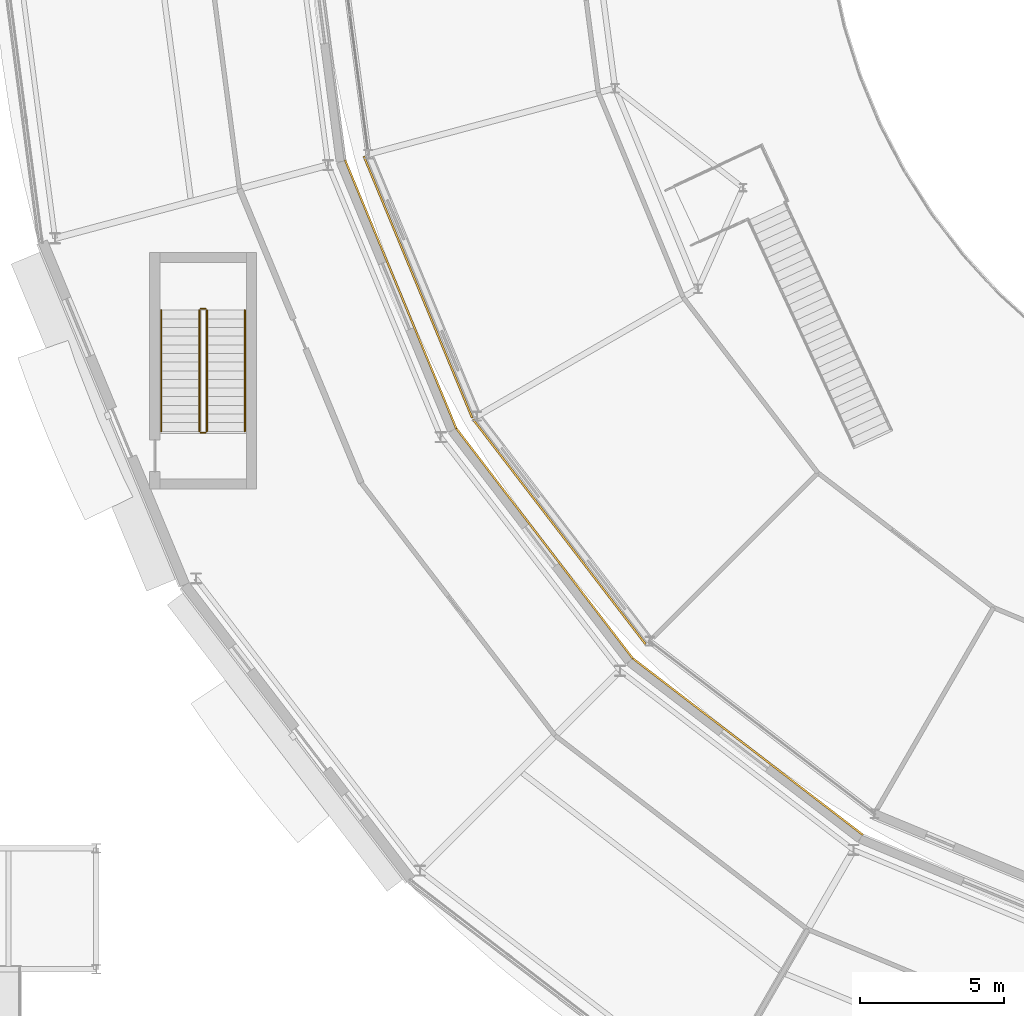
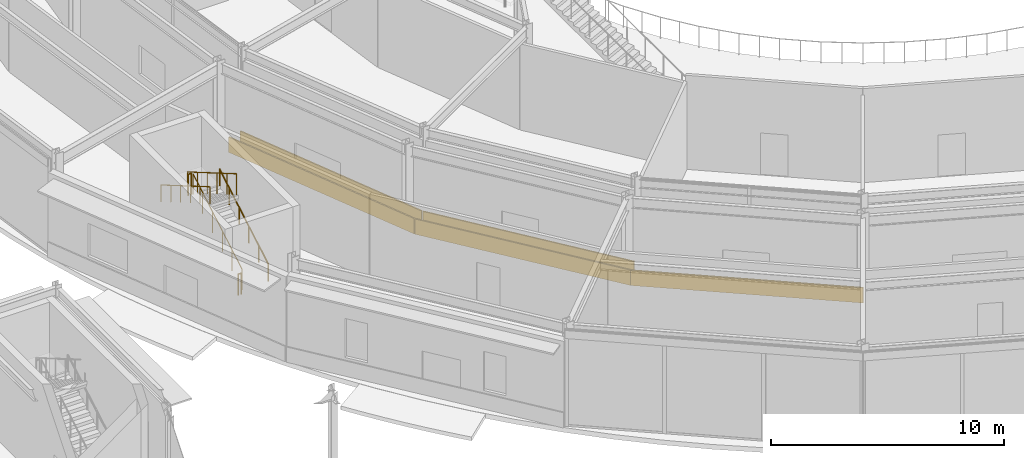
# One storey, part 145 of 168: 6 railings, 5 coverings.
"""IFC4 building model written with IfcOpenShell, lengths in metres."""

import ifcopenshell
import ifcopenshell.guid

model = None  # the IFC model being written
_history = None  # IfcOwnerHistory: only IFC2X3 demands one
_inside = {}  # id of a spatial element -> (the spatial element, [elements in it])
_under = {}  # id of a project, library or spatial element -> (it, [spatial elements below it])
_declared = {}  # id of a project -> (the project, [libraries it declares])
_typed = {}  # id of a type object -> (the type object, [elements of that type])
_made_of = {}  # id of a material, layer set ... -> (it, [elements and type objects made of it])


def new_model(schema):
    """Start an empty IFC model of exactly this schema.

    Asked for "IFC4X3", IfcOpenShell would pick the latest addendum, in which some entities
    have other attributes; the version numbers below select the first issue.
    IFC2X3 requires an IfcOwnerHistory on every rooted entity: one is made here for all.
    """
    global model, _history
    if schema == "IFC4X3":
        model = ifcopenshell.file(schema_version=(4, 3, 0, 0))
    else:
        model = ifcopenshell.file(schema=schema)
    _inside.clear()
    _under.clear()
    _declared.clear()
    _typed.clear()
    _made_of.clear()
    _history = None
    if model.schema == "IFC2X3":
        org = make("IfcOrganization", Name="unknown")
        user = make(
            "IfcPersonAndOrganization",
            ThePerson=make("IfcPerson", FamilyName="unknown"),
            TheOrganization=org,
        )
        app = make(
            "IfcApplication",
            ApplicationDeveloper=org,
            Version="unknown",
            ApplicationFullName="unknown",
            ApplicationIdentifier="unknown",
        )
        _history = make(
            "IfcOwnerHistory",
            OwningUser=user,
            OwningApplication=app,
            ChangeAction="ADDED",
            CreationDate=0,
        )
    return model


def make(cls, **values):
    """One entity of the class cls with the attributes given. An attribute that is None is left unset."""
    return model.create_entity(
        cls, **{name: value for name, value in values.items() if value is not None}
    )


def rooted(cls, **values):
    """An entity with a GlobalId (a new one), such as an element, a storey or a relation."""
    return make(cls, GlobalId=ifcopenshell.guid.new(), OwnerHistory=_history, **values)


def si_unit(unit_type, name, prefix=None):
    """IfcSIUnit, for example si_unit("LENGTHUNIT", "METRE", prefix="MILLI")."""
    return make("IfcSIUnit", UnitType=unit_type, Prefix=prefix, Name=name)


def assignment(units):
    """IfcUnitAssignment: the units of a project."""
    return None if units is None else make("IfcUnitAssignment", Units=units)


def point(xyz):
    """IfcCartesianPoint."""
    return None if xyz is None else make("IfcCartesianPoint", Coordinates=xyz)


def direction(xyz):
    """IfcDirection."""
    return None if xyz is None else make("IfcDirection", DirectionRatios=xyz)


def frame(location, z_axis=None, x_axis=None):
    """IfcAxis2Placement3D, a coordinate frame: its origin and axes. An axis left out is left unset."""
    return make(
        "IfcAxis2Placement3D",
        Location=point(location),
        Axis=direction(z_axis),
        RefDirection=direction(x_axis),
    )


def frame_2d(location, x_axis=None):
    """IfcAxis2Placement2D, a coordinate frame in the plane: its origin and x axis."""
    return make(
        "IfcAxis2Placement2D", Location=point(location), RefDirection=direction(x_axis)
    )


def origin():
    """The frame at (0, 0, 0) with its axes left unset."""
    return frame((0.0, 0.0, 0.0))


def origin_2d():
    """The frame at (0, 0) in the plane with its x axis left unset."""
    return frame_2d((0.0, 0.0))


def place(relative_to, where):
    """IfcLocalPlacement: puts the frame where relative to a parent placement (None: the world)."""
    return make(
        "IfcLocalPlacement", PlacementRelTo=relative_to, RelativePlacement=where
    )


def context(
    kind, dimensions, precision=None, world=None, true_north=None, identifier=None
):
    """IfcGeometricRepresentationContext, for example the 3D "Model" context."""
    return make(
        "IfcGeometricRepresentationContext",
        ContextIdentifier=identifier,
        ContextType=kind,
        CoordinateSpaceDimension=dimensions,
        Precision=precision,
        WorldCoordinateSystem=world,
        TrueNorth=true_north,
    )


def subcontext(parent, identifier, kind, view, scale=None):
    """IfcGeometricRepresentationSubContext, for example "Body" below "Model"."""
    return make(
        "IfcGeometricRepresentationSubContext",
        ContextIdentifier=identifier,
        ContextType=kind,
        ParentContext=parent,
        TargetScale=scale,
        TargetView=view,
    )


def project(units=None, contexts=None):
    """IfcProject with its units and contexts."""
    return rooted(
        "IfcProject",
        Name="project",
        RepresentationContexts=contexts,
        UnitsInContext=assignment(units),
    )


def spatial(cls, under=None, at=None, **own):
    """A site, building, storey or space (cls), placed at a placement, below another one or the project."""
    s = rooted(cls, ObjectPlacement=at, **own)
    if under is not None:
        _under.setdefault(under.id(), (under, []))[1].append(s)
    return s


def profile(cls, at=None, kind="AREA", **sizes):
    """A parametric profile (cls). Its sizes go by their IFC names, for example OverallWidth=200.0."""
    return make(cls, ProfileType=kind, Position=at, **sizes)


def rectangle(**sizes):
    """IfcRectangleProfileDef."""
    return profile("IfcRectangleProfileDef", **sizes)


def circle(**sizes):
    """IfcCircleProfileDef."""
    return profile("IfcCircleProfileDef", **sizes)


def extrude(swept, where, along, depth):
    """IfcExtrudedAreaSolid: the profile swept, set in the frame where, extruded along a direction by depth."""
    return make(
        "IfcExtrudedAreaSolid",
        SweptArea=swept,
        Position=where,
        ExtrudedDirection=direction(along),
        Depth=depth,
    )


def shape(context_of_items, identifier, shape_type, items):
    """IfcShapeRepresentation: the items that make up one representation, for example the "Body"."""
    return make(
        "IfcShapeRepresentation",
        ContextOfItems=context_of_items,
        RepresentationIdentifier=identifier,
        RepresentationType=shape_type,
        Items=items,
    )


def material(Name=None, Category=None):
    """IfcMaterial."""
    return make("IfcMaterial", Name=Name, Category=Category)


def layer(
    of_material, thickness, ventilated=None, Name=None, Category=None, Priority=None
):
    """IfcMaterialLayer: one layer of a wall or slab, of a material (None: an air gap)."""
    return make(
        "IfcMaterialLayer",
        Material=of_material,
        LayerThickness=thickness,
        IsVentilated=ventilated,
        Name=Name,
        Category=Category,
        Priority=Priority,
    )


def layer_set(layers, Name=None):
    """IfcMaterialLayerSet."""
    return make("IfcMaterialLayerSet", MaterialLayers=layers, LayerSetName=Name)


def made_of(thing, what):
    """Note that an element or type object is made of a material, layer set ...; save() writes the relation."""
    if what is not None:
        _made_of.setdefault(what.id(), (what, []))[1].append(thing)
    return thing


def type_object(cls, material=None, **own):
    """A type object (cls), such as IfcWallType, which elements share."""
    return made_of(rooted(cls, **own), material)


def element(
    cls,
    number,
    at=None,
    inside=None,
    cuts=None,
    type_object=None,
    material=None,
    context=None,
    identifier="Body",
    shape_type=None,
    held_by="IfcProductDefinitionShape",
    body=None,
    shapes=None,
    **own,
):
    """One element of the class cls, such as IfcWall. Its Tag is "e" and its number.

    at: its placement. inside: the storey or other place that contains it. cuts: it is an
    opening in that element (IfcRelVoidsElement). A single representation is given by context,
    identifier, shape_type and body (its items); several are given by shapes. held_by: the class
    of the entity that holds the representations. save() writes the other relations.
    """
    e = rooted(cls, Tag="e%d" % number, ObjectPlacement=at, **own)
    if body is not None:
        shapes = [shape(context, identifier, shape_type, body)]
    if shapes is not None:
        e.Representation = make(held_by, Representations=shapes)
    if inside is not None:
        _inside.setdefault(inside.id(), (inside, []))[1].append(e)
    if cuts is not None:
        rooted(
            "IfcRelVoidsElement", RelatingBuildingElement=cuts, RelatedOpeningElement=e
        )
    if type_object is not None:
        _typed.setdefault(type_object.id(), (type_object, []))[1].append(e)
    return made_of(e, material)


def aggregate(whole, parts):
    """IfcRelAggregates: a whole, such as a stair, and the parts it consists of."""
    return rooted("IfcRelAggregates", RelatingObject=whole, RelatedObjects=parts)


def save(model, path):
    """Write the relations noted so far, then the file.

    IfcRelAggregates (storeys below a building ...), IfcRelContainedInSpatialStructure (elements
    in a storey), IfcRelDefinesByType, IfcRelAssociatesMaterial and IfcRelDeclares: one each for
    every whole, place, type object, material and project.
    """
    for whole, parts in _under.values():
        aggregate(whole, parts)
    for where, things in _inside.values():
        rooted(
            "IfcRelContainedInSpatialStructure",
            RelatedElements=things,
            RelatingStructure=where,
        )
    for kind, things in _typed.values():
        rooted("IfcRelDefinesByType", RelatedObjects=things, RelatingType=kind)
    for what, things in _made_of.values():
        rooted("IfcRelAssociatesMaterial", RelatedObjects=things, RelatingMaterial=what)
    for by, libraries in _declared.values():
        rooted("IfcRelDeclares", RelatingContext=by, RelatedDefinitions=libraries)
    model.write(path)


model = new_model("IFC4")

# Units and contexts
model_context = context("Model", 3, precision=1e-05, world=origin(), true_north=direction((0.0, 1.0)))
body_context = subcontext(model_context, "Body", "Model", "MODEL_VIEW")
ifc_project = project(units=[si_unit("LENGTHUNIT", "METRE"), si_unit("AREAUNIT", "SQUARE_METRE"), si_unit("VOLUMEUNIT", "CUBIC_METRE"), si_unit("PLANEANGLEUNIT", "RADIAN"), si_unit("MASSUNIT", "GRAM", prefix="KILO")], contexts=[model_context])

# Site, building, storey
site_placement = place(None, origin())
site = spatial("IfcSite", under=ifc_project, at=site_placement, CompositionType="ELEMENT")
building_placement = place(site_placement, origin())
building = spatial("IfcBuilding", under=site, at=building_placement, Name="Almandine Court Research Institute", CompositionType="ELEMENT")
storey_placement = place(building_placement, origin())
storey = spatial("IfcBuildingStorey", under=building, at=storey_placement, Name="L00", CompositionType="ELEMENT", Elevation=0.0)

# Coverings
ifc_material_1 = material(Name="Honed Andean Red-Buff Sandstone Cladding", Category="masonry")
ifc_layer = layer(ifc_material_1, 0.06494140625)
ifc_layer_set = layer_set([ifc_layer], Name="Honed Andean Red-Buff Sandstone Cladding")
covering_type = type_object("IfcCoveringType", Name="Cov-CLAD-SAND", PredefinedType="CLADDING", material=ifc_layer_set)
for number, where, z_axis, x_axis, name in (
    (1, (51.75, 41.39892578125, 0.02001953125), (0.0, 0.0, 1.0), (0.382683432365, -0.923879532511, 0.0), "L00 Facade Spandrel Cladding Band 287"),
    (2, (56.72998046875, 32.77294921875, 0.02001953125), (0.0, 0.0, 1.0), (0.608761429009, -0.793353340291, 0.0), "L00 Facade Spandrel Cladding Band 289"),
    (3, (63.77294921875, 25.72998046875, 0.02001953125), (0.0, 0.0, 1.0), (0.793353340291, -0.608761429009, 0.0), "L00 Facade Spandrel Cladding Band 291"),
):
    element("IfcCovering", number, at=place(storey_placement, frame(where, z_axis=z_axis, x_axis=x_axis)), inside=storey, type_object=covering_type, Name=name, PredefinedType="CLADDING", context=body_context, shape_type="SweptSolid", body=[
        extrude(rectangle(XDim=10.080078125, YDim=0.06494140625, at=origin_2d()), origin(), (0.0, 0.0, 1.0), 0.800048828125),
    ])
covering_1_placement = place(storey_placement, frame((52.35107421875, 41.64794921875, 0.02001953125), z_axis=(0.0, 0.0, 1.0), x_axis=(-0.382683432365, 0.923879532511, 0.0)))
element("IfcCovering", 4, at=covering_1_placement, inside=storey, type_object=covering_type, Name="L00 Facade Spandrel Cladding Band 434", PredefinedType="CLADDING", context=body_context, shape_type="SweptSolid", body=[
    extrude(rectangle(XDim=9.821044921875, YDim=0.06494140625, at=origin_2d()), origin(), (0.0, 0.0, 1.0), 0.800048828125),
])
covering_2_placement = place(storey_placement, frame((57.2470703125, 33.169921875, 0.02001953125), z_axis=(0.0, 0.0, 1.0), x_axis=(-0.608761429009, 0.793353340291, 0.0)))
element("IfcCovering", 5, at=covering_2_placement, inside=storey, type_object=covering_type, Name="L00 Facade Spandrel Cladding Band 435", PredefinedType="CLADDING", context=body_context, shape_type="SweptSolid", body=[
    extrude(rectangle(XDim=9.820068359375, YDim=0.06494140625, at=origin_2d()), origin(), (0.0, 0.0, 1.0), 0.800048828125),
])

# Railings
ifc_material_2 = material(Name="Powder-Coated Steel Stair and Atrium Balustrade", Category="steel")
railing_type_1 = type_object("IfcRailingType", Name="Rail-GUARD-INT", PredefinedType="BALUSTRADE", material=ifc_material_2)
railing_1_placement = place(storey_placement, frame((45.030029296875, 36.64990234375, 0.175048828125)))
element("IfcRailing", 6, at=railing_1_placement, inside=storey, type_object=railing_type_1, Name="L00 ST-17 stair guard 1", PredefinedType="BALUSTRADE", context=body_context, shape_type="SweptSolid", body=[
    extrude(circle(Radius=0.02392578125, at=origin_2d()), frame((0.0, 0.0, 1.09619140625), z_axis=(0.0, 0.863793468915, 0.503846050951), x_axis=(-1.0, 0.0, 0.0)), (0.0, 0.0, 1.0), 4.862548828125),
    extrude(circle(Radius=0.02099609375, at=origin_2d()), origin(), (0.0, 0.0, 1.0), 1.072021484375),
    extrude(circle(Radius=0.02099609375, at=origin_2d()), frame((0.0, 0.840087890625, 0.489990234375)), (0.0, 0.0, 1.0), 1.072021484375),
    extrude(circle(Radius=0.02099609375, at=origin_2d()), frame((0.0, 1.68017578125, 0.97998046875)), (0.0, 0.0, 1.0), 1.072021484375),
    extrude(circle(Radius=0.02099609375, at=origin_2d()), frame((0.0, 2.52001953125, 1.469970703125)), (0.0, 0.0, 1.0), 1.072021484375),
    extrude(circle(Radius=0.02099609375, at=origin_2d()), frame((0.0, 3.360107421875, 1.9599609375)), (0.0, 0.0, 1.0), 1.072021484375),
    extrude(circle(Radius=0.02099609375, at=origin_2d()), frame((0.0, 4.2001953125, 2.449951171875)), (0.0, 0.0, 1.0), 1.072021484375),
])
railing_2_placement = place(storey_placement, frame((44.97998046875, 40.89990234375, 2.625)))
element("IfcRailing", 7, at=railing_2_placement, inside=storey, type_object=railing_type_1, Name="L00 ST-17 stair guard 2", PredefinedType="BALUSTRADE", context=body_context, shape_type="SweptSolid", body=[
    extrude(circle(Radius=0.02392578125, at=origin_2d()), frame((0.0, 0.0, 1.09619140625), z_axis=(-1.0, 0.0, 0.0), x_axis=(0.0, -1.0, 0.0)), (0.0, 0.0, 1.0), 0.159912109375),
    extrude(circle(Radius=0.02099609375, at=origin_2d()), origin(), (0.0, 0.0, 1.0), 1.072021484375),
    extrude(circle(Radius=0.02099609375, at=origin_2d()), frame((-0.159912109375, 0.0, 0.0)), (0.0, 0.0, 1.0), 1.072021484375),
])
railing_3_placement = place(storey_placement, frame((44.77001953125, 40.85009765625, 2.800048828125)))
element("IfcRailing", 8, at=railing_3_placement, inside=storey, type_object=railing_type_1, Name="L00 ST-17 stair guard 3", PredefinedType="BALUSTRADE", context=body_context, shape_type="SweptSolid", body=[
    extrude(circle(Radius=0.02392578125, at=origin_2d()), frame((0.0, 0.0, 1.09619140625), z_axis=(0.0, -0.863793468915, 0.503846050951), x_axis=(1.0, 0.0, 0.0)), (0.0, 0.0, 1.0), 4.862548828125),
    extrude(circle(Radius=0.02099609375, at=origin_2d()), origin(), (0.0, 0.0, 1.0), 1.072021484375),
    extrude(circle(Radius=0.02099609375, at=origin_2d()), frame((0.0, -0.840087890625, 0.489990234375)), (0.0, 0.0, 1.0), 1.072021484375),
    extrude(circle(Radius=0.02099609375, at=origin_2d()), frame((0.0, -1.68017578125, 0.97998046875)), (0.0, 0.0, 1.0), 1.072021484375),
    extrude(circle(Radius=0.02099609375, at=origin_2d()), frame((0.0, -2.52001953125, 1.469970703125)), (0.0, 0.0, 1.0), 1.072021484375),
    extrude(circle(Radius=0.02099609375, at=origin_2d()), frame((0.0, -3.360107421875, 1.9599609375)), (0.0, 0.0, 1.0), 1.072021484375),
    extrude(circle(Radius=0.02099609375, at=origin_2d()), frame((0.0, -4.2001953125, 2.449951171875)), (0.0, 0.0, 1.0), 1.072021484375),
])
railing_4_placement = place(storey_placement, frame((44.97998046875, 36.60009765625, 0.0)))
element("IfcRailing", 9, at=railing_4_placement, inside=storey, type_object=railing_type_1, Name="L00 ST-17 stair guard 4", PredefinedType="BALUSTRADE", context=body_context, shape_type="SweptSolid", body=[
    extrude(circle(Radius=0.02392578125, at=origin_2d()), frame((0.0, 0.0, 1.09619140625), z_axis=(-1.0, 0.0, 0.0), x_axis=(0.0, -1.0, 0.0)), (0.0, 0.0, 1.0), 0.159912109375),
    extrude(circle(Radius=0.02099609375, at=origin_2d()), origin(), (0.0, 0.0, 1.0), 1.072021484375),
    extrude(circle(Radius=0.02099609375, at=origin_2d()), frame((-0.159912109375, 0.0, 0.0)), (0.0, 0.0, 1.0), 1.072021484375),
])
ifc_material_3 = material(Name="Brushed Stainless Steel Wall Handrail", Category="steel")
railing_type_2 = type_object("IfcRailingType", Name="Rail-HAND-INT", PredefinedType="HANDRAIL", material=ifc_material_3)
railing_5_placement = place(storey_placement, frame((46.35009765625, 36.64990234375, 0.175048828125)))
element("IfcRailing", 10, at=railing_5_placement, inside=storey, type_object=railing_type_2, Name="L00 ST-17 stair handrail 1", PredefinedType="HANDRAIL", context=body_context, shape_type="SweptSolid", body=[
    extrude(circle(Radius=0.02392578125, at=origin_2d()), frame((0.0, 0.0, 0.8759765625), z_axis=(0.0, 0.863793468915, 0.503846050951), x_axis=(-1.0, 0.0, 0.0)), (0.0, 0.0, 1.0), 4.862548828125),
    extrude(circle(Radius=0.02099609375, at=origin_2d()), origin(), (0.0, 0.0, 1.0), 0.851806640625),
    extrude(circle(Radius=0.02099609375, at=origin_2d()), frame((0.0, 0.840087890625, 0.489990234375)), (0.0, 0.0, 1.0), 0.851806640625),
    extrude(circle(Radius=0.02099609375, at=origin_2d()), frame((0.0, 1.68017578125, 0.97998046875)), (0.0, 0.0, 1.0), 0.851806640625),
    extrude(circle(Radius=0.02099609375, at=origin_2d()), frame((0.0, 2.52001953125, 1.469970703125)), (0.0, 0.0, 1.0), 0.851806640625),
    extrude(circle(Radius=0.02099609375, at=origin_2d()), frame((0.0, 3.360107421875, 1.9599609375)), (0.0, 0.0, 1.0), 0.851806640625),
    extrude(circle(Radius=0.02099609375, at=origin_2d()), frame((0.0, 4.2001953125, 2.449951171875)), (0.0, 0.0, 1.0), 0.851806640625),
])
railing_6_placement = place(storey_placement, frame((43.449951171875, 40.85009765625, 2.800048828125)))
element("IfcRailing", 11, at=railing_6_placement, inside=storey, type_object=railing_type_2, Name="L00 ST-17 stair handrail 2", PredefinedType="HANDRAIL", context=body_context, shape_type="SweptSolid", body=[
    extrude(circle(Radius=0.02392578125, at=origin_2d()), frame((0.0, 0.0, 0.8759765625), z_axis=(0.0, -0.863793468915, 0.503846050951), x_axis=(1.0, 0.0, 0.0)), (0.0, 0.0, 1.0), 4.862548828125),
    extrude(circle(Radius=0.02099609375, at=origin_2d()), origin(), (0.0, 0.0, 1.0), 0.851806640625),
    extrude(circle(Radius=0.02099609375, at=origin_2d()), frame((0.0, -0.840087890625, 0.489990234375)), (0.0, 0.0, 1.0), 0.851806640625),
    extrude(circle(Radius=0.02099609375, at=origin_2d()), frame((0.0, -1.68017578125, 0.97998046875)), (0.0, 0.0, 1.0), 0.851806640625),
    extrude(circle(Radius=0.02099609375, at=origin_2d()), frame((0.0, -2.52001953125, 1.469970703125)), (0.0, 0.0, 1.0), 0.851806640625),
    extrude(circle(Radius=0.02099609375, at=origin_2d()), frame((0.0, -3.360107421875, 1.9599609375)), (0.0, 0.0, 1.0), 0.851806640625),
    extrude(circle(Radius=0.02099609375, at=origin_2d()), frame((0.0, -4.2001953125, 2.449951171875)), (0.0, 0.0, 1.0), 0.851806640625),
])

save(model, "model.ifc")
